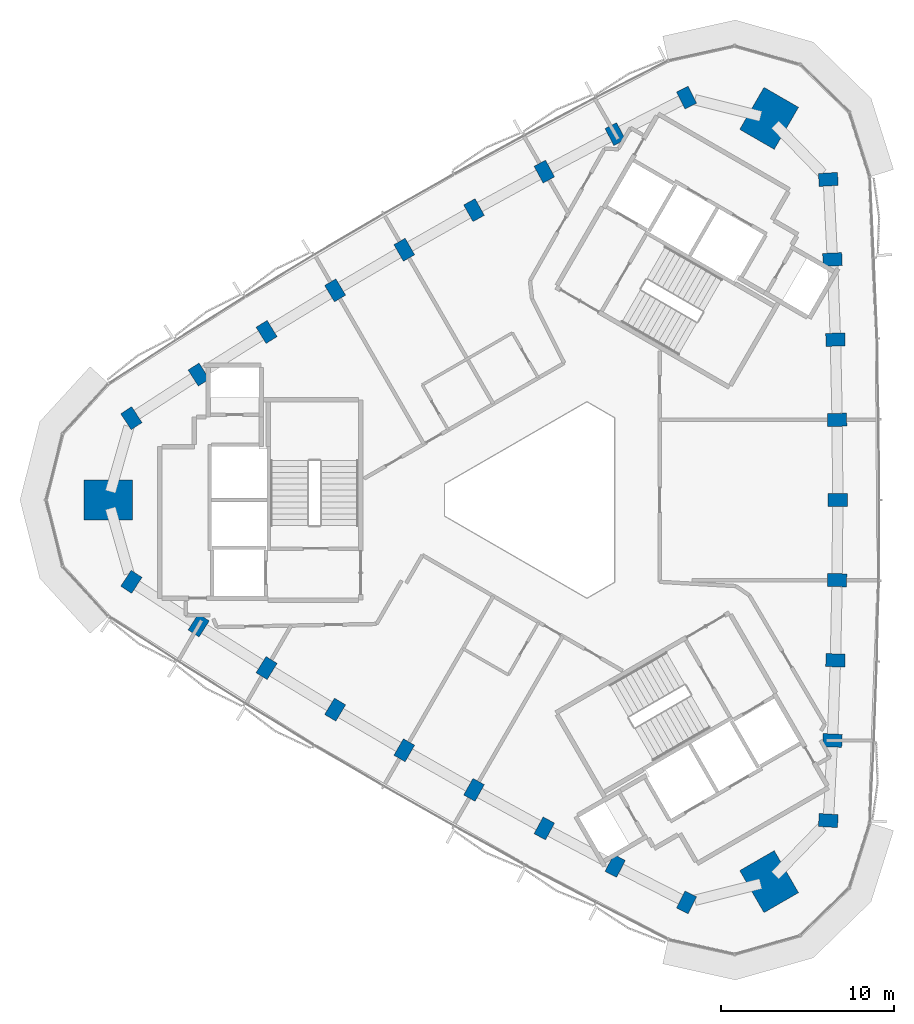
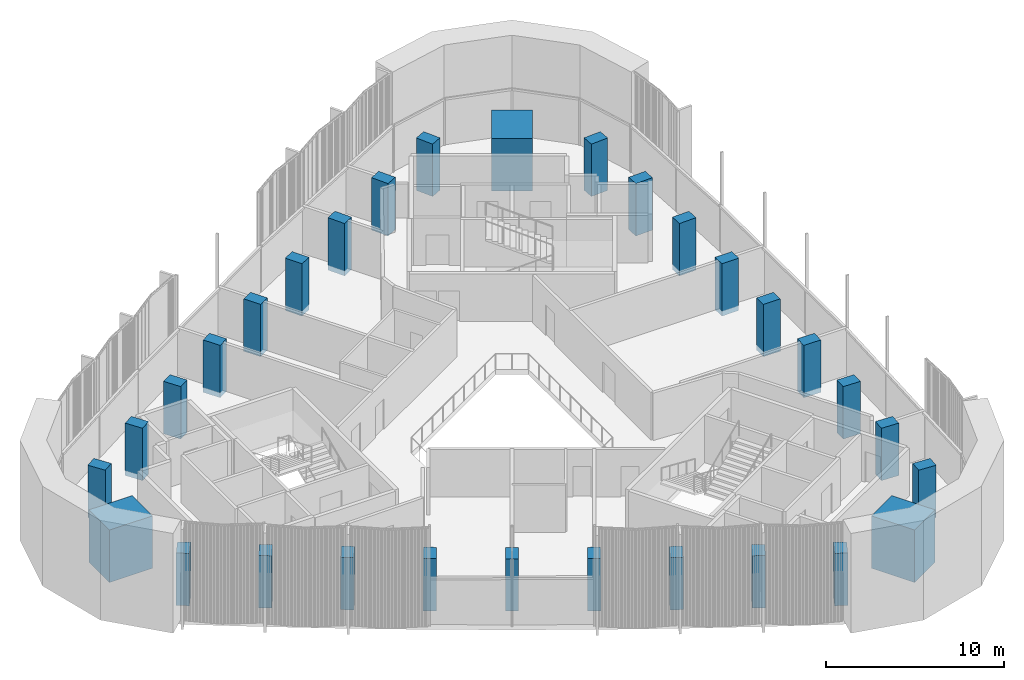
# One storey, part 1 of 16: 30 columns.
"""IFC4 building model written with IfcOpenShell, lengths in metres."""

from ifc_helpers import new_model, si_unit, direction, frame, origin, origin_2d, place, context, subcontext, project, spatial, rectangle, extrude, material, material_profile, profile_set, type_object, element, save


model = new_model("IFC4")

# Units and contexts
model_context = context("Model", 3, precision=1e-05, world=origin(), true_north=direction((0.0, 1.0)))
body_context = subcontext(model_context, "Body", "Model", "MODEL_VIEW")
ifc_project = project(units=[si_unit("LENGTHUNIT", "METRE"), si_unit("AREAUNIT", "SQUARE_METRE"), si_unit("VOLUMEUNIT", "CUBIC_METRE"), si_unit("PLANEANGLEUNIT", "RADIAN"), si_unit("MASSUNIT", "GRAM", prefix="KILO")], contexts=[model_context])

# Site, building, storey
site_placement = place(None, origin())
site = spatial("IfcSite", under=ifc_project, at=site_placement, CompositionType="ELEMENT")
building_placement = place(site_placement, origin())
building = spatial("IfcBuilding", under=site, at=building_placement, Name="Tamra Quay Hotel Tower", CompositionType="ELEMENT")
storey_placement = place(building_placement, frame((0.0, 0.0, 243.0)))
storey = spatial("IfcBuildingStorey", under=building, at=storey_placement, Name="L61", CompositionType="ELEMENT", Elevation=243.0)

# Columns
ifc_material = material(Name="Concrete M70", Category="concrete")
ifc_material_profile_1 = material_profile(ifc_material, rectangle(XDim=1.10009765625, YDim=0.75, at=origin_2d()), Name="COLUMN RC 750x1100 Z5")
ifc_profile_set_1 = profile_set([ifc_material_profile_1], Name="Concrete M70")
column_type_1 = type_object("IfcColumnType", Name="COLUMN RC 750x1100 Z5", PredefinedType="COLUMN", material=ifc_profile_set_1)
for number, where, z_axis, x_axis, name in (
    (1, (16.12548828125, -18.490966796875, -0.35009765625), (0.0, 0.0, 1.0), (-0.998292120165, 0.05841954139, 0.0), "COL-C5E01-L61"),
    (2, (16.36328125, -13.87158203125, -0.35009765625), (0.0, 0.0, 1.0), (-0.999033395056, 0.043957656467, 0.0), "COL-C5E02-L61"),
    (3, (16.533203125, -9.24951171875, -0.35009765625), (0.0, 0.0, 1.0), (-0.999578606696, 0.029027728727, 0.0), "COL-C5E03-L61"),
    (4, (16.63525390625, -4.625, -0.35009765625), (0.0, 0.0, 1.0), (-0.999888113, 0.014958659101, 0.0), "COL-C5E04-L61"),
    (5, (16.66943359375, 0.0, -0.35009765625), (0.0, 0.0, 1.0), (1.0, 0.0, 0.0), "COL-C5E05-L61"),
    (6, (16.63525390625, 4.625, -0.35009765625), (0.0, 0.0, 1.0), (0.999888113, 0.014958659101, 0.0), "COL-C5E06-L61"),
    (7, (16.533203125, 9.24951171875, -0.35009765625), (0.0, 0.0, 1.0), (0.999578606696, 0.029027728727, 0.0), "COL-C5E07-L61"),
    (8, (16.36328125, 13.87158203125, -0.35009765625), (0.0, 0.0, 1.0), (0.999033395056, 0.043957656467, 0.0), "COL-C5E08-L61"),
    (9, (16.12548828125, 18.490966796875, -0.35009765625), (0.0, 0.0, 1.0), (0.998292120165, 0.05841954139, 0.0), "COL-C5E09-L61"),
    (10, (7.950927734375, 23.210693359375, -0.35009765625), (0.0, 0.0, 1.0), (-0.448553253162, 0.893756107156, 0.0), "COL-C5NW01-L61"),
    (11, (3.83154296875, 21.10693359375, -0.35009765625), (0.0, 0.0, 1.0), (-0.461448250337, 0.887167127581, 0.0), "COL-C5NW02-L61"),
    (12, (-0.25634765625, 18.943115234375, -0.35009765625), (0.0, 0.0, 1.0), (-0.474650552857, 0.880174330842, 0.0), "COL-C5NW03-L61"),
    (13, (-4.312255859375, 16.718994140625, -0.35009765625), (0.0, 0.0, 1.0), (-0.486989477712, 0.87340783635, 0.0), "COL-C5NW04-L61"),
    (14, (-8.334716796875, 14.43603515625, -0.35009765625), (0.0, 0.0, 1.0), (-0.5, 0.866025403784, 0.0), "COL-C5NW05-L61"),
    (15, (-12.322998046875, 12.093994140625, -0.35009765625), (0.0, 0.0, 1.0), (-0.512898635288, 0.858449177249, 0.0), "COL-C5NW06-L61"),
    (16, (-16.277099609375, 9.693359375, -0.35009765625), (0.0, 0.0, 1.0), (-0.52492805384, 0.851146602115, 0.0), "COL-C5NW07-L61"),
    (17, (-20.19482421875, 7.235107421875, -0.35009765625), (0.0, 0.0, 1.0), (-0.537585144719, 0.843209471114, 0.0), "COL-C5NW08-L61"),
    (18, (-24.076416015625, 4.7197265625, -0.35009765625), (0.0, 0.0, 1.0), (-0.549738867003, 0.835336565766, 0.0), "COL-C5NW09-L61"),
    (19, (-24.076416015625, -4.7197265625, -0.35009765625), (0.0, 0.0, 1.0), (0.549738867003, 0.835336565766, 0.0), "COL-C5SW01-L61"),
    (20, (-20.19482421875, -7.235107421875, -0.35009765625), (0.0, 0.0, 1.0), (0.537585144719, 0.843209471114, 0.0), "COL-C5SW02-L61"),
    (21, (-16.277099609375, -9.693359375, -0.35009765625), (0.0, 0.0, 1.0), (0.52492805384, 0.851146602115, 0.0), "COL-C5SW03-L61"),
    (22, (-12.322998046875, -12.093994140625, -0.35009765625), (0.0, 0.0, 1.0), (0.512898635288, 0.858449177249, 0.0), "COL-C5SW04-L61"),
    (23, (-8.334716796875, -14.43603515625, -0.35009765625), (0.0, 0.0, 1.0), (0.5, 0.866025403784, 0.0), "COL-C5SW05-L61"),
    (24, (-4.312255859375, -16.718994140625, -0.35009765625), (0.0, 0.0, 1.0), (0.486989477712, 0.87340783635, 0.0), "COL-C5SW06-L61"),
    (25, (-0.25634765625, -18.943115234375, -0.35009765625), (0.0, 0.0, 1.0), (0.474650552857, 0.880174330842, 0.0), "COL-C5SW07-L61"),
    (26, (3.83154296875, -21.10693359375, -0.35009765625), (0.0, 0.0, 1.0), (0.461448250337, 0.887167127581, 0.0), "COL-C5SW08-L61"),
    (27, (7.950927734375, -23.210693359375, -0.35009765625), (0.0, 0.0, 1.0), (0.448553253162, 0.893756107156, 0.0), "COL-C5SW09-L61"),
):
    element("IfcColumn", number, at=place(storey_placement, frame(where, z_axis=z_axis, x_axis=x_axis)), inside=storey, type_object=column_type_1, Name=name, PredefinedType="COLUMN", context=body_context, shape_type="SweptSolid", body=[
        extrude(rectangle(XDim=1.10009765625, YDim=0.75, at=origin_2d()), origin(), (0.0, 0.0, 1.0), 3.60009765625),
    ])
ifc_material_profile_2 = material_profile(ifc_material, rectangle(XDim=2.800048828125, YDim=2.300048828125, at=origin_2d()), Name="MEGA COLUMN RC 2300x2800 Z5")
ifc_profile_set_2 = profile_set([ifc_material_profile_2], Name="Concrete M70")
column_type_2 = type_object("IfcColumnType", Name="MEGA COLUMN RC 2300x2800 Z5", PredefinedType="COLUMN", material=ifc_profile_set_2)
for number, where, z_axis, x_axis, name in (
    (28, (12.710205078125, 22.0146484375, -0.35009765625), (0.0, 0.0, 1.0), (0.5, 0.866025403784, 0.0), "COL-M5NE-L61"),
    (29, (-25.42041015625, 0.0, -0.35009765625), (0.0, 0.0, 1.0), (1.0, 0.0, 0.0), "COL-M5W-L61"),
    (30, (12.710205078125, -22.0146484375, -0.35009765625), (0.0, 0.0, 1.0), (-0.5, 0.866025403784, 0.0), "COL-M5SE-L61"),
):
    element("IfcColumn", number, at=place(storey_placement, frame(where, z_axis=z_axis, x_axis=x_axis)), inside=storey, type_object=column_type_2, Name=name, PredefinedType="COLUMN", context=body_context, shape_type="SweptSolid", body=[
        extrude(rectangle(XDim=2.800048828125, YDim=2.300048828125, at=origin_2d()), origin(), (0.0, 0.0, 1.0), 3.60009765625),
    ])

save(model, "model.ifc")
